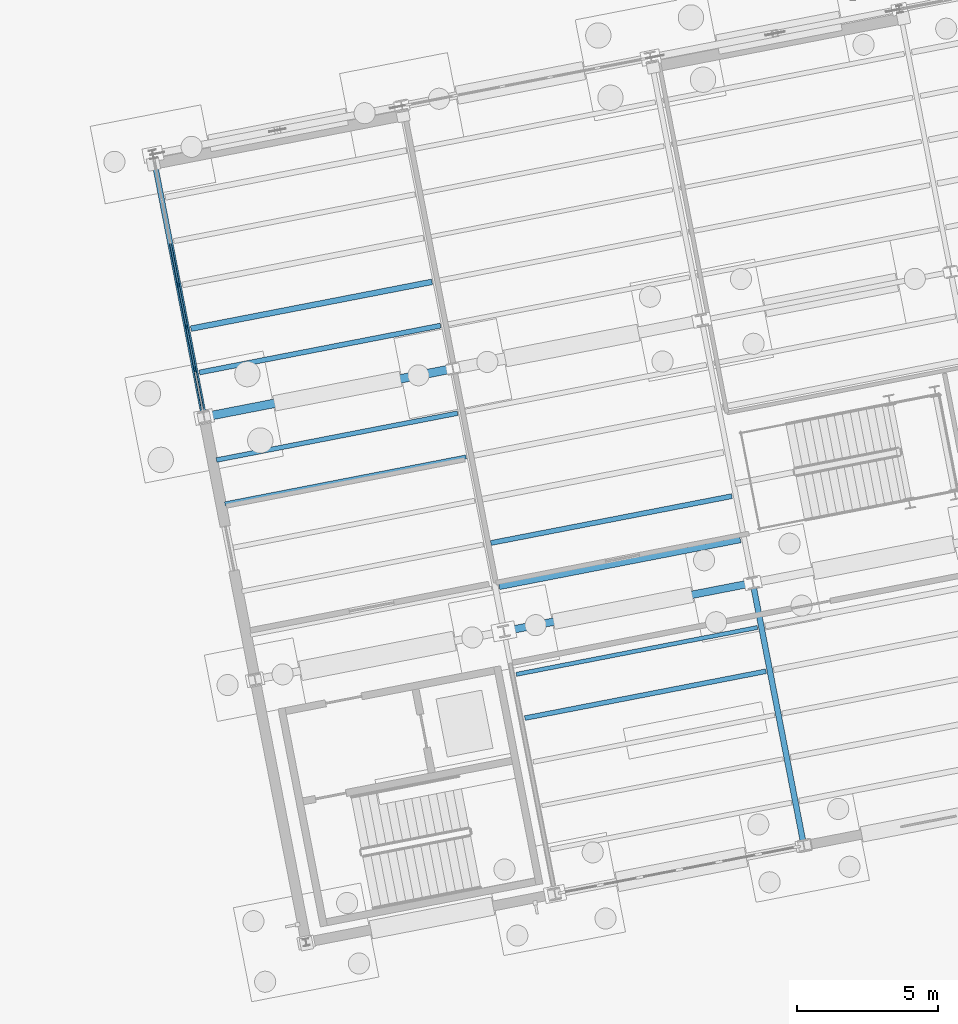
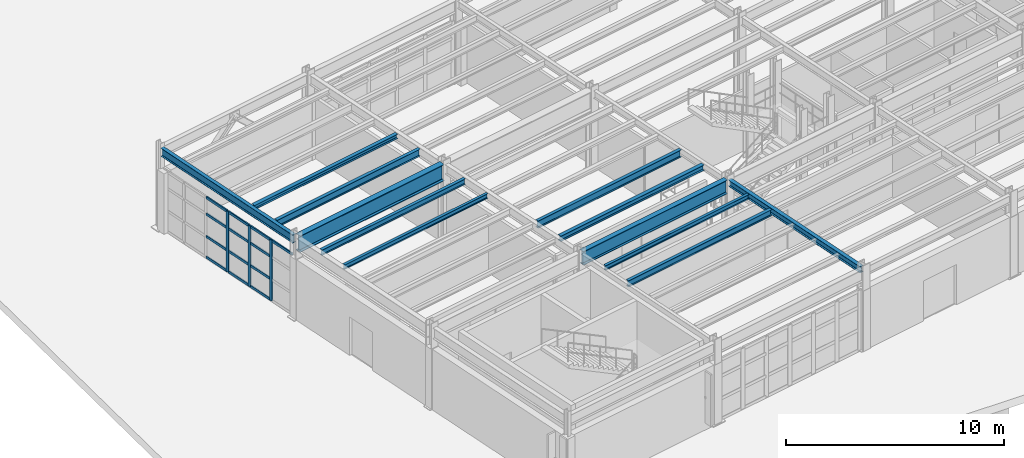
# One storey, part 33 of 108: 16 members, 12 beams, 1 element without a shape of its own.
"""IFC4 building model written with IfcOpenShell, lengths in metres."""

import ifcopenshell
import ifcopenshell.guid

model = None  # the IFC model being written
_history = None  # IfcOwnerHistory: only IFC2X3 demands one
_inside = {}  # id of a spatial element -> (the spatial element, [elements in it])
_under = {}  # id of a project, library or spatial element -> (it, [spatial elements below it])
_declared = {}  # id of a project -> (the project, [libraries it declares])
_typed = {}  # id of a type object -> (the type object, [elements of that type])
_made_of = {}  # id of a material, layer set ... -> (it, [elements and type objects made of it])


def new_model(schema):
    """Start an empty IFC model of exactly this schema.

    Asked for "IFC4X3", IfcOpenShell would pick the latest addendum, in which some entities
    have other attributes; the version numbers below select the first issue.
    IFC2X3 requires an IfcOwnerHistory on every rooted entity: one is made here for all.
    """
    global model, _history
    if schema == "IFC4X3":
        model = ifcopenshell.file(schema_version=(4, 3, 0, 0))
    else:
        model = ifcopenshell.file(schema=schema)
    _inside.clear()
    _under.clear()
    _declared.clear()
    _typed.clear()
    _made_of.clear()
    _history = None
    if model.schema == "IFC2X3":
        org = make("IfcOrganization", Name="unknown")
        user = make(
            "IfcPersonAndOrganization",
            ThePerson=make("IfcPerson", FamilyName="unknown"),
            TheOrganization=org,
        )
        app = make(
            "IfcApplication",
            ApplicationDeveloper=org,
            Version="unknown",
            ApplicationFullName="unknown",
            ApplicationIdentifier="unknown",
        )
        _history = make(
            "IfcOwnerHistory",
            OwningUser=user,
            OwningApplication=app,
            ChangeAction="ADDED",
            CreationDate=0,
        )
    return model


def make(cls, **values):
    """One entity of the class cls with the attributes given. An attribute that is None is left unset."""
    return model.create_entity(
        cls, **{name: value for name, value in values.items() if value is not None}
    )


def rooted(cls, **values):
    """An entity with a GlobalId (a new one), such as an element, a storey or a relation."""
    return make(cls, GlobalId=ifcopenshell.guid.new(), OwnerHistory=_history, **values)


def si_unit(unit_type, name, prefix=None):
    """IfcSIUnit, for example si_unit("LENGTHUNIT", "METRE", prefix="MILLI")."""
    return make("IfcSIUnit", UnitType=unit_type, Prefix=prefix, Name=name)


def assignment(units):
    """IfcUnitAssignment: the units of a project."""
    return None if units is None else make("IfcUnitAssignment", Units=units)


def point(xyz):
    """IfcCartesianPoint."""
    return None if xyz is None else make("IfcCartesianPoint", Coordinates=xyz)


def direction(xyz):
    """IfcDirection."""
    return None if xyz is None else make("IfcDirection", DirectionRatios=xyz)


def frame(location, z_axis=None, x_axis=None):
    """IfcAxis2Placement3D, a coordinate frame: its origin and axes. An axis left out is left unset."""
    return make(
        "IfcAxis2Placement3D",
        Location=point(location),
        Axis=direction(z_axis),
        RefDirection=direction(x_axis),
    )


def frame_2d(location, x_axis=None):
    """IfcAxis2Placement2D, a coordinate frame in the plane: its origin and x axis."""
    return make(
        "IfcAxis2Placement2D", Location=point(location), RefDirection=direction(x_axis)
    )


def origin():
    """The frame at (0, 0, 0) with its axes left unset."""
    return frame((0.0, 0.0, 0.0))


def origin_2d():
    """The frame at (0, 0) in the plane with its x axis left unset."""
    return frame_2d((0.0, 0.0))


def place(relative_to, where):
    """IfcLocalPlacement: puts the frame where relative to a parent placement (None: the world)."""
    return make(
        "IfcLocalPlacement", PlacementRelTo=relative_to, RelativePlacement=where
    )


def context(
    kind, dimensions, precision=None, world=None, true_north=None, identifier=None
):
    """IfcGeometricRepresentationContext, for example the 3D "Model" context."""
    return make(
        "IfcGeometricRepresentationContext",
        ContextIdentifier=identifier,
        ContextType=kind,
        CoordinateSpaceDimension=dimensions,
        Precision=precision,
        WorldCoordinateSystem=world,
        TrueNorth=true_north,
    )


def subcontext(parent, identifier, kind, view, scale=None):
    """IfcGeometricRepresentationSubContext, for example "Body" below "Model"."""
    return make(
        "IfcGeometricRepresentationSubContext",
        ContextIdentifier=identifier,
        ContextType=kind,
        ParentContext=parent,
        TargetScale=scale,
        TargetView=view,
    )


def project(units=None, contexts=None):
    """IfcProject with its units and contexts."""
    return rooted(
        "IfcProject",
        Name="project",
        RepresentationContexts=contexts,
        UnitsInContext=assignment(units),
    )


def spatial(cls, under=None, at=None, **own):
    """A site, building, storey or space (cls), placed at a placement, below another one or the project."""
    s = rooted(cls, ObjectPlacement=at, **own)
    if under is not None:
        _under.setdefault(under.id(), (under, []))[1].append(s)
    return s


def profile(cls, at=None, kind="AREA", **sizes):
    """A parametric profile (cls). Its sizes go by their IFC names, for example OverallWidth=200.0."""
    return make(cls, ProfileType=kind, Position=at, **sizes)


def rectangle(**sizes):
    """IfcRectangleProfileDef."""
    return profile("IfcRectangleProfileDef", **sizes)


def i_section(**sizes):
    """IfcIShapeProfileDef."""
    return profile("IfcIShapeProfileDef", **sizes)


def extrude(swept, where, along, depth):
    """IfcExtrudedAreaSolid: the profile swept, set in the frame where, extruded along a direction by depth."""
    return make(
        "IfcExtrudedAreaSolid",
        SweptArea=swept,
        Position=where,
        ExtrudedDirection=direction(along),
        Depth=depth,
    )


def shape(context_of_items, identifier, shape_type, items):
    """IfcShapeRepresentation: the items that make up one representation, for example the "Body"."""
    return make(
        "IfcShapeRepresentation",
        ContextOfItems=context_of_items,
        RepresentationIdentifier=identifier,
        RepresentationType=shape_type,
        Items=items,
    )


def material(Name=None, Category=None):
    """IfcMaterial."""
    return make("IfcMaterial", Name=Name, Category=Category)


def layer(
    of_material, thickness, ventilated=None, Name=None, Category=None, Priority=None
):
    """IfcMaterialLayer: one layer of a wall or slab, of a material (None: an air gap)."""
    return make(
        "IfcMaterialLayer",
        Material=of_material,
        LayerThickness=thickness,
        IsVentilated=ventilated,
        Name=Name,
        Category=Category,
        Priority=Priority,
    )


def layer_set(layers, Name=None):
    """IfcMaterialLayerSet."""
    return make("IfcMaterialLayerSet", MaterialLayers=layers, LayerSetName=Name)


def material_profile(
    of_material, cross_section, Name=None, Category=None, Priority=None
):
    """IfcMaterialProfile: a cross section and its material."""
    return make(
        "IfcMaterialProfile",
        Name=Name,
        Material=of_material,
        Profile=cross_section,
        Priority=Priority,
        Category=Category,
    )


def profile_set(profiles, Name=None, composite=None):
    """IfcMaterialProfileSet."""
    return make(
        "IfcMaterialProfileSet",
        Name=Name,
        MaterialProfiles=profiles,
        CompositeProfile=composite,
    )


def made_of(thing, what):
    """Note that an element or type object is made of a material, layer set ...; save() writes the relation."""
    if what is not None:
        _made_of.setdefault(what.id(), (what, []))[1].append(thing)
    return thing


def type_object(cls, material=None, **own):
    """A type object (cls), such as IfcWallType, which elements share."""
    return made_of(rooted(cls, **own), material)


def element(
    cls,
    number,
    at=None,
    inside=None,
    cuts=None,
    type_object=None,
    material=None,
    context=None,
    identifier="Body",
    shape_type=None,
    held_by="IfcProductDefinitionShape",
    body=None,
    shapes=None,
    **own,
):
    """One element of the class cls, such as IfcWall. Its Tag is "e" and its number.

    at: its placement. inside: the storey or other place that contains it. cuts: it is an
    opening in that element (IfcRelVoidsElement). A single representation is given by context,
    identifier, shape_type and body (its items); several are given by shapes. held_by: the class
    of the entity that holds the representations. save() writes the other relations.
    """
    e = rooted(cls, Tag="e%d" % number, ObjectPlacement=at, **own)
    if body is not None:
        shapes = [shape(context, identifier, shape_type, body)]
    if shapes is not None:
        e.Representation = make(held_by, Representations=shapes)
    if inside is not None:
        _inside.setdefault(inside.id(), (inside, []))[1].append(e)
    if cuts is not None:
        rooted(
            "IfcRelVoidsElement", RelatingBuildingElement=cuts, RelatedOpeningElement=e
        )
    if type_object is not None:
        _typed.setdefault(type_object.id(), (type_object, []))[1].append(e)
    return made_of(e, material)


def aggregate(whole, parts):
    """IfcRelAggregates: a whole, such as a stair, and the parts it consists of."""
    return rooted("IfcRelAggregates", RelatingObject=whole, RelatedObjects=parts)


def save(model, path):
    """Write the relations noted so far, then the file.

    IfcRelAggregates (storeys below a building ...), IfcRelContainedInSpatialStructure (elements
    in a storey), IfcRelDefinesByType, IfcRelAssociatesMaterial and IfcRelDeclares: one each for
    every whole, place, type object, material and project.
    """
    for whole, parts in _under.values():
        aggregate(whole, parts)
    for where, things in _inside.values():
        rooted(
            "IfcRelContainedInSpatialStructure",
            RelatedElements=things,
            RelatingStructure=where,
        )
    for kind, things in _typed.values():
        rooted("IfcRelDefinesByType", RelatedObjects=things, RelatingType=kind)
    for what, things in _made_of.values():
        rooted("IfcRelAssociatesMaterial", RelatedObjects=things, RelatingMaterial=what)
    for by, libraries in _declared.values():
        rooted("IfcRelDeclares", RelatingContext=by, RelatedDefinitions=libraries)
    model.write(path)


model = new_model("IFC4")

# Units and contexts
model_context = context("Model", 3, precision=1e-05, world=origin(), true_north=direction((0.0, 1.0)))
body_context = subcontext(model_context, "Body", "Model", "MODEL_VIEW")
ifc_project = project(units=[si_unit("LENGTHUNIT", "METRE"), si_unit("AREAUNIT", "SQUARE_METRE"), si_unit("VOLUMEUNIT", "CUBIC_METRE"), si_unit("PLANEANGLEUNIT", "RADIAN"), si_unit("MASSUNIT", "GRAM", prefix="KILO")], contexts=[model_context])

# Site, building, storey
site_placement = place(None, origin())
site = spatial("IfcSite", under=ifc_project, at=site_placement, CompositionType="ELEMENT")
building_placement = place(site_placement, origin())
building = spatial("IfcBuilding", under=site, at=building_placement, Name="Vireo Bluff Cable Station", CompositionType="ELEMENT")
storey_placement = place(building_placement, origin())
storey = spatial("IfcBuildingStorey", under=building, at=storey_placement, Name="L00", CompositionType="ELEMENT", Elevation=0.0)

# Beam
ifc_material_1 = material(Name="Steel ASTM A992 Gr. 50", Category="steel")
ifc_material_profile_1 = material_profile(ifc_material_1, i_section(OverallWidth=0.2041015625, OverallDepth=0.35009765625, WebThickness=0.008544921875, FlangeThickness=0.01513671875, FilletRadius=0.010009765625, at=origin_2d()), Name="W14X48")
ifc_profile_set_1 = profile_set([ifc_material_profile_1], Name="Steel ASTM A992 Gr. 50")
beam_type_1 = type_object("IfcBeamType", Name="BM-W14X48", PredefinedType="BEAM", material=ifc_profile_set_1)
beam_1_placement = place(storey_placement, frame((27.146484375, 9.05224609375, 4.364990234375), z_axis=(-0.190825202135, 0.981624033034, 0.0), x_axis=(-0.981624033034, -0.190825202135, 0.0)))
element("IfcBeam", 1, at=beam_1_placement, inside=storey, type_object=beam_type_1, Name="V5 L00 beam 1112", PredefinedType="BEAM", context=body_context, shape_type="SweptSolid", body=[
    extrude(i_section(OverallWidth=0.2041015625, OverallDepth=0.35009765625, WebThickness=0.008544921875, FlangeThickness=0.01513671875, FilletRadius=0.010009765625, at=origin_2d()), origin(), (0.0, 0.0, 1.0), 9.26025390625),
])

# Curtain wall, members
ifc_material_2 = material(Name="Anodized Aluminium 6063-T6", Category="aluminium")
ifc_layer = layer(ifc_material_2, 0.179931640625, Name="Anodized Aluminium 6063-T6")
ifc_layer_set = layer_set([ifc_layer], Name="Anodized Aluminium 6063-T6")
curtain_wall_type = type_object("IfcCurtainWallType", Name="CW-UNIT-1500", PredefinedType="USERDEFINED", material=ifc_layer_set)
curtain_wall_placement = place(storey_placement, origin())
curtain_wall = element("IfcCurtainWall", 2, at=curtain_wall_placement, inside=storey, type_object=curtain_wall_type, Name="V5 L00 west curtain wall CW-112", ObjectType="UNITISED CURTAIN WALL", PredefinedType="USERDEFINED")
ifc_material_profile_2 = material_profile(ifc_material_2, rectangle(XDim=0.06494140625, YDim=0.179931640625, at=origin_2d()), Name="ALU-M-65X180")
ifc_profile_set_2 = profile_set([ifc_material_profile_2], Name="Anodized Aluminium 6063-T6")
member_type_1 = type_object("IfcMemberType", Name="CWM-01", PredefinedType="MULLION", material=ifc_profile_set_2)
member_1_placement = place(storey_placement, frame((5.5439453125, 25.85205078125, 0.0), z_axis=(0.0, 0.0, 1.0), x_axis=(-0.98162718066, -0.190809009717, 0.0)))
member_1 = element("IfcMember", 3, at=member_1_placement, type_object=member_type_1, Name="CW-112 mullion 2", PredefinedType="MULLION", context=body_context, shape_type="SweptSolid", body=[
    extrude(rectangle(XDim=0.06494140625, YDim=0.179931640625, at=origin_2d()), origin(), (0.0, 0.0, 1.0), 3.39990234375),
])
member_2_placement = place(storey_placement, frame((5.25341796875, 27.346435546875, 0.0), z_axis=(0.0, 0.0, 1.0), x_axis=(-0.98162718066, -0.190809009717, 0.0)))
member_2 = element("IfcMember", 4, at=member_2_placement, type_object=member_type_1, Name="CW-112 mullion 3", PredefinedType="MULLION", context=body_context, shape_type="SweptSolid", body=[
    extrude(rectangle(XDim=0.06494140625, YDim=0.179931640625, at=origin_2d()), origin(), (0.0, 0.0, 1.0), 3.39990234375),
])
member_3_placement = place(storey_placement, frame((4.962890625, 28.8408203125, 0.0), z_axis=(0.0, 0.0, 1.0), x_axis=(-0.98162718066, -0.190809009717, 0.0)))
member_3 = element("IfcMember", 5, at=member_3_placement, type_object=member_type_1, Name="CW-112 mullion 4", PredefinedType="MULLION", context=body_context, shape_type="SweptSolid", body=[
    extrude(rectangle(XDim=0.06494140625, YDim=0.179931640625, at=origin_2d()), origin(), (0.0, 0.0, 1.0), 3.39990234375),
])
ifc_material_profile_3 = material_profile(ifc_material_2, rectangle(XDim=0.06494140625, YDim=0.139892578125, at=origin_2d()), Name="ALU-T-65X140")
ifc_profile_set_3 = profile_set([ifc_material_profile_3], Name="Anodized Aluminium 6063-T6")
member_type_2 = type_object("IfcMemberType", Name="CWT-01", PredefinedType="USERDEFINED", material=ifc_profile_set_3)
member_4_placement = place(storey_placement, frame((5.822021484375, 24.42138671875, 3.367431640625), z_axis=(-0.190709138232, 0.981646588439, 0.0), x_axis=(-0.981646588439, -0.190709138232, 0.0)))
member_4 = element("IfcMember", 6, at=member_4_placement, type_object=member_type_2, Name="CW-112 transom 1.4", ObjectType="TRANSOM", PredefinedType="USERDEFINED", context=body_context, shape_type="SweptSolid", body=[
    extrude(rectangle(XDim=0.06494140625, YDim=0.139892578125, at=origin_2d()), origin(), (0.0, 0.0, 1.0), 1.4248046875),
])
member_5_placement = place(storey_placement, frame((5.537841796875, 25.8837890625, 0.032470703125), z_axis=(-0.190797920453, 0.98162933613, 0.0), x_axis=(-0.98162933613, -0.190797920453, 0.0)))
member_5 = element("IfcMember", 7, at=member_5_placement, type_object=member_type_2, Name="CW-112 transom 2.1", ObjectType="TRANSOM", PredefinedType="USERDEFINED", context=body_context, shape_type="SweptSolid", body=[
    extrude(rectangle(XDim=0.06494140625, YDim=0.139892578125, at=origin_2d()), origin(), (0.0, 0.0, 1.0), 1.45751953125),
])
member_6_placement = place(storey_placement, frame((5.537841796875, 25.8837890625, 1.18994140625), z_axis=(-0.190797920453, 0.98162933613, 0.0), x_axis=(-0.98162933613, -0.190797920453, 0.0)))
member_6 = element("IfcMember", 8, at=member_6_placement, type_object=member_type_2, Name="CW-112 transom 2.2", ObjectType="TRANSOM", PredefinedType="USERDEFINED", context=body_context, shape_type="SweptSolid", body=[
    extrude(rectangle(XDim=0.06494140625, YDim=0.139892578125, at=origin_2d()), origin(), (0.0, 0.0, 1.0), 1.45751953125),
])
member_7_placement = place(storey_placement, frame((5.537841796875, 25.8837890625, 2.447998046875), z_axis=(-0.190797920453, 0.98162933613, 0.0), x_axis=(-0.98162933613, -0.190797920453, 0.0)))
member_7 = element("IfcMember", 9, at=member_7_placement, type_object=member_type_2, Name="CW-112 transom 2.3", ObjectType="TRANSOM", PredefinedType="USERDEFINED", context=body_context, shape_type="SweptSolid", body=[
    extrude(rectangle(XDim=0.06494140625, YDim=0.139892578125, at=origin_2d()), origin(), (0.0, 0.0, 1.0), 1.45751953125),
])
member_8_placement = place(storey_placement, frame((5.537841796875, 25.8837890625, 3.367431640625), z_axis=(-0.190797920453, 0.98162933613, 0.0), x_axis=(-0.98162933613, -0.190797920453, 0.0)))
member_8 = element("IfcMember", 10, at=member_8_placement, type_object=member_type_2, Name="CW-112 transom 2.4", ObjectType="TRANSOM", PredefinedType="USERDEFINED", context=body_context, shape_type="SweptSolid", body=[
    extrude(rectangle(XDim=0.06494140625, YDim=0.139892578125, at=origin_2d()), origin(), (0.0, 0.0, 1.0), 1.45751953125),
])
member_9_placement = place(storey_placement, frame((5.247314453125, 27.37841796875, 0.032470703125), z_axis=(-0.190797920453, 0.98162933613, 0.0), x_axis=(-0.98162933613, -0.190797920453, 0.0)))
member_9 = element("IfcMember", 11, at=member_9_placement, type_object=member_type_2, Name="CW-112 transom 3.1", ObjectType="TRANSOM", PredefinedType="USERDEFINED", context=body_context, shape_type="SweptSolid", body=[
    extrude(rectangle(XDim=0.06494140625, YDim=0.139892578125, at=origin_2d()), origin(), (0.0, 0.0, 1.0), 1.45751953125),
])
member_10_placement = place(storey_placement, frame((5.247314453125, 27.37841796875, 1.18994140625), z_axis=(-0.190797920453, 0.98162933613, 0.0), x_axis=(-0.98162933613, -0.190797920453, 0.0)))
member_10 = element("IfcMember", 12, at=member_10_placement, type_object=member_type_2, Name="CW-112 transom 3.2", ObjectType="TRANSOM", PredefinedType="USERDEFINED", context=body_context, shape_type="SweptSolid", body=[
    extrude(rectangle(XDim=0.06494140625, YDim=0.139892578125, at=origin_2d()), origin(), (0.0, 0.0, 1.0), 1.45751953125),
])
member_11_placement = place(storey_placement, frame((5.247314453125, 27.37841796875, 2.447998046875), z_axis=(-0.190797920453, 0.98162933613, 0.0), x_axis=(-0.98162933613, -0.190797920453, 0.0)))
member_11 = element("IfcMember", 13, at=member_11_placement, type_object=member_type_2, Name="CW-112 transom 3.3", ObjectType="TRANSOM", PredefinedType="USERDEFINED", context=body_context, shape_type="SweptSolid", body=[
    extrude(rectangle(XDim=0.06494140625, YDim=0.139892578125, at=origin_2d()), origin(), (0.0, 0.0, 1.0), 1.45751953125),
])
member_12_placement = place(storey_placement, frame((5.247314453125, 27.37841796875, 3.367431640625), z_axis=(-0.190797920453, 0.98162933613, 0.0), x_axis=(-0.98162933613, -0.190797920453, 0.0)))
member_12 = element("IfcMember", 14, at=member_12_placement, type_object=member_type_2, Name="CW-112 transom 3.4", ObjectType="TRANSOM", PredefinedType="USERDEFINED", context=body_context, shape_type="SweptSolid", body=[
    extrude(rectangle(XDim=0.06494140625, YDim=0.139892578125, at=origin_2d()), origin(), (0.0, 0.0, 1.0), 1.45751953125),
])
member_13_placement = place(storey_placement, frame((4.956787109375, 28.872802734375, 0.032470703125), z_axis=(-0.190797920453, 0.98162933613, 0.0), x_axis=(-0.98162933613, -0.190797920453, 0.0)))
member_13 = element("IfcMember", 15, at=member_13_placement, type_object=member_type_2, Name="CW-112 transom 4.1", ObjectType="TRANSOM", PredefinedType="USERDEFINED", context=body_context, shape_type="SweptSolid", body=[
    extrude(rectangle(XDim=0.06494140625, YDim=0.139892578125, at=origin_2d()), origin(), (0.0, 0.0, 1.0), 1.45751953125),
])
member_14_placement = place(storey_placement, frame((4.956787109375, 28.872802734375, 1.18994140625), z_axis=(-0.190797920453, 0.98162933613, 0.0), x_axis=(-0.98162933613, -0.190797920453, 0.0)))
member_14 = element("IfcMember", 16, at=member_14_placement, type_object=member_type_2, Name="CW-112 transom 4.2", ObjectType="TRANSOM", PredefinedType="USERDEFINED", context=body_context, shape_type="SweptSolid", body=[
    extrude(rectangle(XDim=0.06494140625, YDim=0.139892578125, at=origin_2d()), origin(), (0.0, 0.0, 1.0), 1.45751953125),
])
member_15_placement = place(storey_placement, frame((4.956787109375, 28.872802734375, 2.447998046875), z_axis=(-0.190797920453, 0.98162933613, 0.0), x_axis=(-0.98162933613, -0.190797920453, 0.0)))
member_15 = element("IfcMember", 17, at=member_15_placement, type_object=member_type_2, Name="CW-112 transom 4.3", ObjectType="TRANSOM", PredefinedType="USERDEFINED", context=body_context, shape_type="SweptSolid", body=[
    extrude(rectangle(XDim=0.06494140625, YDim=0.139892578125, at=origin_2d()), origin(), (0.0, 0.0, 1.0), 1.45751953125),
])
member_16_placement = place(storey_placement, frame((4.956787109375, 28.872802734375, 3.367431640625), z_axis=(-0.190797920453, 0.98162933613, 0.0), x_axis=(-0.98162933613, -0.190797920453, 0.0)))
member_16 = element("IfcMember", 18, at=member_16_placement, type_object=member_type_2, Name="CW-112 transom 4.4", ObjectType="TRANSOM", PredefinedType="USERDEFINED", context=body_context, shape_type="SweptSolid", body=[
    extrude(rectangle(XDim=0.06494140625, YDim=0.139892578125, at=origin_2d()), origin(), (0.0, 0.0, 1.0), 1.45751953125),
])
aggregate(curtain_wall, [member_1, member_2, member_3, member_4, member_5, member_6, member_7, member_8, member_9, member_10, member_11, member_12, member_13, member_14, member_15, member_16])

# Beams
ifc_material_profile_4 = material_profile(ifc_material_1, i_section(OverallWidth=0.26708984375, OverallDepth=0.77001953125, WebThickness=0.015625, FlangeThickness=0.025390625, FilletRadius=0.01611328125, at=origin_2d()), Name="W30X132")
ifc_profile_set_4 = profile_set([ifc_material_profile_4], Name="Steel ASTM A992 Gr. 50")
beam_type_2 = type_object("IfcBeamType", Name="GIR-W30X132", PredefinedType="USERDEFINED", material=ifc_profile_set_4)
beam_2_placement = place(storey_placement, frame((16.6396484375, 16.565673828125, 4.155029296875), z_axis=(0.981629601573, 0.190796554777, 0.0), x_axis=(-0.190796554777, 0.981629601573, 0.0)))
element("IfcBeam", 19, at=beam_2_placement, inside=storey, type_object=beam_type_2, Name="V5 L00 girder 1095", ObjectType="GIRDER", PredefinedType="USERDEFINED", context=body_context, shape_type="SweptSolid", body=[
    extrude(i_section(OverallWidth=0.26708984375, OverallDepth=0.77001953125, WebThickness=0.015625, FlangeThickness=0.025390625, FilletRadius=0.01611328125, at=origin_2d()), origin(), (0.0, 0.0, 1.0), 8.760009765625),
])
ifc_material_profile_5 = material_profile(ifc_material_1, i_section(OverallWidth=0.306884765625, OverallDepth=0.927001953125, WebThickness=0.019287109375, FlangeThickness=0.031982421875, FilletRadius=0.02001953125, at=origin_2d()), Name="W36X194")
ifc_profile_set_5 = profile_set([ifc_material_profile_5], Name="Steel ASTM A992 Gr. 50")
beam_type_3 = type_object("IfcBeamType", Name="GIR-W36X194", PredefinedType="USERDEFINED", material=ifc_profile_set_5)
beam_3_placement = place(storey_placement, frame((5.992431640625, 24.173828125, 4.076416015625), z_axis=(0.981629601573, 0.190796554777, 0.0), x_axis=(-0.190796554777, 0.981629601573, 0.0)))
element("IfcBeam", 20, at=beam_3_placement, inside=storey, type_object=beam_type_3, Name="V5 L00 girder 1098", ObjectType="GIRDER", PredefinedType="USERDEFINED", context=body_context, shape_type="SweptSolid", body=[
    extrude(i_section(OverallWidth=0.306884765625, OverallDepth=0.927001953125, WebThickness=0.019287109375, FlangeThickness=0.031982421875, FilletRadius=0.02001953125, at=origin_2d()), origin(), (0.0, 0.0, 1.0), 8.760009765625),
])
ifc_material_profile_6 = material_profile(ifc_material_1, i_section(OverallWidth=0.14599609375, OverallDepth=0.259033203125, WebThickness=0.006103515625, FlangeThickness=0.009033203125, FilletRadius=0.009033203125, at=origin_2d()), Name="W10X22")
ifc_profile_set_6 = profile_set([ifc_material_profile_6], Name="Steel ASTM A992 Gr. 50")
beam_type_4 = type_object("IfcBeamType", Name="JST-W10X22", PredefinedType="JOIST", material=ifc_profile_set_6)
for number, where, z_axis, x_axis, name in (
    (21, (6.6162109375, 21.069091796875, 4.410400390625), (0.981628064538, 0.190804462503, 0.0), (-0.190804462503, 0.981628064538, 0.0), "V5 L00 composite joist 1124"),
    (22, (16.96142578125, 15.01513671875, 4.410400390625), (0.981628064538, 0.190804462503, 0.0), (-0.190804462503, 0.981628064538, 0.0), "V5 L00 composite joist 1135"),
):
    element("IfcBeam", number, at=place(storey_placement, frame(where, z_axis=z_axis, x_axis=x_axis)), inside=storey, type_object=beam_type_4, Name=name, PredefinedType="JOIST", context=body_context, shape_type="SweptSolid", body=[
        extrude(i_section(OverallWidth=0.14599609375, OverallDepth=0.259033203125, WebThickness=0.006103515625, FlangeThickness=0.009033203125, FilletRadius=0.009033203125, at=origin_2d()), origin(), (0.0, 0.0, 1.0), 8.719970703125),
    ])
ifc_material_profile_7 = material_profile(ifc_material_1, i_section(OverallWidth=0.201904296875, OverallDepth=0.2470703125, WebThickness=0.00732421875, FlangeThickness=0.010986328125, FilletRadius=0.009033203125, at=origin_2d()), Name="W10X33")
ifc_profile_set_7 = profile_set([ifc_material_profile_7], Name="Steel ASTM A992 Gr. 50")
beam_type_5 = type_object("IfcBeamType", Name="JST-W10X33", PredefinedType="JOIST", material=ifc_profile_set_7)
beam_4_placement = place(storey_placement, frame((5.40771484375, 27.2861328125, 4.41650390625), z_axis=(0.981628064538, 0.190804462503, 0.0), x_axis=(-0.190804462503, 0.981628064538, 0.0)))
element("IfcBeam", 23, at=beam_4_placement, inside=storey, type_object=beam_type_5, Name="V5 L00 composite joist 1127", PredefinedType="JOIST", context=body_context, shape_type="SweptSolid", body=[
    extrude(i_section(OverallWidth=0.201904296875, OverallDepth=0.2470703125, WebThickness=0.00732421875, FlangeThickness=0.010986328125, FilletRadius=0.009033203125, at=origin_2d()), origin(), (0.0, 0.0, 1.0), 8.719970703125),
])
ifc_material_profile_8 = material_profile(ifc_material_1, i_section(OverallWidth=0.1650390625, OverallDepth=0.31005859375, WebThickness=0.005859375, FlangeThickness=0.009765625, FilletRadius=0.010009765625, at=origin_2d()), Name="W12X26")
ifc_profile_set_8 = profile_set([ifc_material_profile_8], Name="Steel ASTM A992 Gr. 50")
beam_type_6 = type_object("IfcBeamType", Name="JST-W12X26", PredefinedType="JOIST", material=ifc_profile_set_8)
beam_5_placement = place(storey_placement, frame((6.314208984375, 22.623291015625, 4.385009765625), z_axis=(0.98162282025, 0.190831440713, 0.0), x_axis=(-0.190831440713, 0.98162282025, 0.0)))
element("IfcBeam", 24, at=beam_5_placement, inside=storey, type_object=beam_type_6, Name="V5 L00 composite joist 1125", PredefinedType="JOIST", context=body_context, shape_type="SweptSolid", body=[
    extrude(i_section(OverallWidth=0.1650390625, OverallDepth=0.31005859375, WebThickness=0.005859375, FlangeThickness=0.009765625, FilletRadius=0.010009765625, at=origin_2d()), origin(), (0.0, 0.0, 1.0), 8.719970703125),
])
ifc_material_profile_9 = material_profile(ifc_material_1, i_section(OverallWidth=0.202880859375, OverallDepth=0.302978515625, WebThickness=0.007568359375, FlangeThickness=0.01318359375, FilletRadius=0.010009765625, at=origin_2d()), Name="W12X40")
ifc_profile_set_9 = profile_set([ifc_material_profile_9], Name="Steel ASTM A992 Gr. 50")
beam_type_7 = type_object("IfcBeamType", Name="JST-W12X40", PredefinedType="JOIST", material=ifc_profile_set_9)
beam_6_placement = place(storey_placement, frame((16.357177734375, 18.123779296875, 4.388427734375), z_axis=(0.981628064538, 0.190804462503, 0.0), x_axis=(-0.190804462503, 0.981628064538, 0.0)))
element("IfcBeam", 25, at=beam_6_placement, inside=storey, type_object=beam_type_7, Name="V5 L00 composite joist 1136", PredefinedType="JOIST", context=body_context, shape_type="SweptSolid", body=[
    extrude(i_section(OverallWidth=0.202880859375, OverallDepth=0.302978515625, WebThickness=0.007568359375, FlangeThickness=0.01318359375, FilletRadius=0.010009765625, at=origin_2d()), origin(), (0.0, 0.0, 1.0), 8.719970703125),
])
ifc_material_profile_10 = material_profile(ifc_material_1, i_section(OverallWidth=0.1708984375, OverallDepth=0.35107421875, WebThickness=0.0068359375, FlangeThickness=0.009765625, FilletRadius=0.010009765625, at=origin_2d()), Name="W14X30")
ifc_profile_set_10 = profile_set([ifc_material_profile_10], Name="Steel ASTM A992 Gr. 50")
beam_type_8 = type_object("IfcBeamType", Name="JST-W14X30", PredefinedType="JOIST", material=ifc_profile_set_10)
beam_7_placement = place(storey_placement, frame((17.263671875, 13.4609375, 4.364501953125), z_axis=(0.981628064538, 0.190804462503, 0.0), x_axis=(-0.190804462503, 0.981628064538, 0.0)))
element("IfcBeam", 26, at=beam_7_placement, inside=storey, type_object=beam_type_8, Name="V5 L00 composite joist 1134", PredefinedType="JOIST", context=body_context, shape_type="SweptSolid", body=[
    extrude(i_section(OverallWidth=0.1708984375, OverallDepth=0.35107421875, WebThickness=0.0068359375, FlangeThickness=0.009765625, FilletRadius=0.010009765625, at=origin_2d()), origin(), (0.0, 0.0, 1.0), 8.719970703125),
])
ifc_material_profile_11 = material_profile(ifc_material_1, i_section(OverallWidth=0.177978515625, OverallDepth=0.404052734375, WebThickness=0.007568359375, FlangeThickness=0.010986328125, FilletRadius=0.010009765625, at=origin_2d()), Name="W16X36")
ifc_profile_set_11 = profile_set([ifc_material_profile_11], Name="Steel ASTM A992 Gr. 50")
beam_type_9 = type_object("IfcBeamType", Name="JST-W16X36", PredefinedType="JOIST", material=ifc_profile_set_11)
for number, where, z_axis, x_axis, name in (
    (27, (5.7099609375, 25.73193359375, 4.337890625), (0.981628064538, 0.190804462503, 0.0), (-0.190804462503, 0.981628064538, 0.0), "V5 L00 composite joist 1126"),
    (28, (16.05517578125, 19.677978515625, 4.337890625), (0.981628064538, 0.190804462503, 0.0), (-0.190804462503, 0.981628064538, 0.0), "V5 L00 composite joist 1137"),
):
    element("IfcBeam", number, at=place(storey_placement, frame(where, z_axis=z_axis, x_axis=x_axis)), inside=storey, type_object=beam_type_9, Name=name, PredefinedType="JOIST", context=body_context, shape_type="SweptSolid", body=[
        extrude(i_section(OverallWidth=0.177978515625, OverallDepth=0.404052734375, WebThickness=0.007568359375, FlangeThickness=0.010986328125, FilletRadius=0.010009765625, at=origin_2d()), origin(), (0.0, 0.0, 1.0), 8.719970703125),
    ])
ifc_material_profile_12 = material_profile(ifc_material_1, i_section(OverallWidth=0.19091796875, OverallDepth=0.45703125, WebThickness=0.009033203125, FlangeThickness=0.014404296875, FilletRadius=0.011962890625, at=origin_2d()), Name="W18X50")
ifc_profile_set_12 = profile_set([ifc_material_profile_12], Name="Steel ASTM A992 Gr. 50")
beam_type_10 = type_object("IfcBeamType", Name="SPN-W18X50", PredefinedType="SPANDREL", material=ifc_profile_set_12)
beam_8_placement = place(storey_placement, frame((5.851806640625, 24.268798828125, 4.3115234375), z_axis=(-0.190804735679, 0.981628011439, 0.0), x_axis=(-0.981628011439, -0.190804735679, 0.0)))
element("IfcBeam", 29, at=beam_8_placement, inside=storey, type_object=beam_type_10, Name="V5 L00 spandrel 1108", PredefinedType="SPANDREL", context=body_context, shape_type="SweptSolid", body=[
    extrude(i_section(OverallWidth=0.19091796875, OverallDepth=0.45703125, WebThickness=0.009033203125, FlangeThickness=0.014404296875, FilletRadius=0.011962890625, at=origin_2d()), origin(), (0.0, 0.0, 1.0), 9.260009765625),
])

save(model, "model.ifc")
